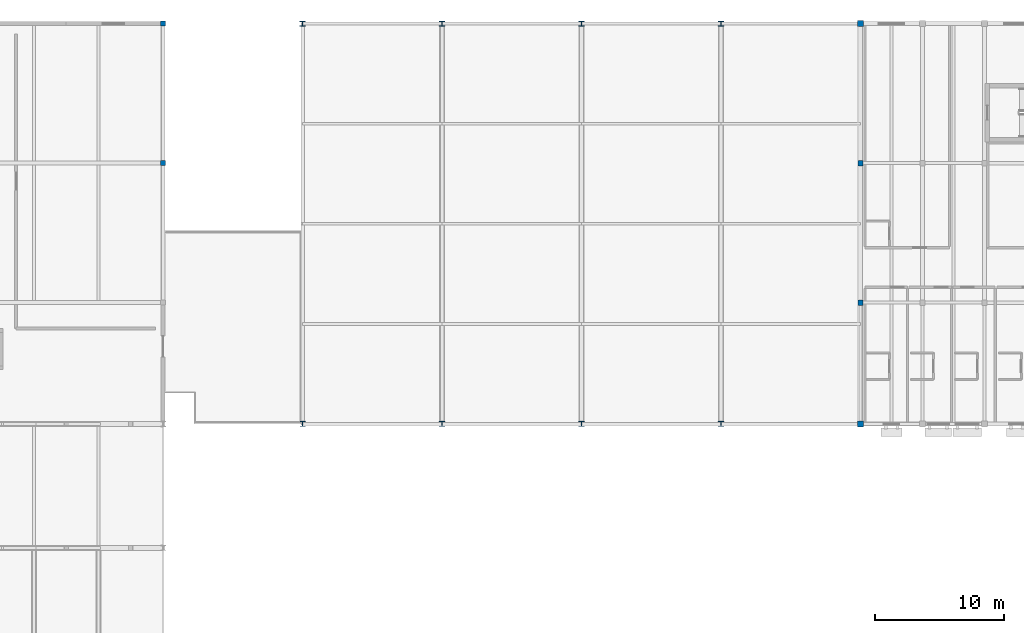
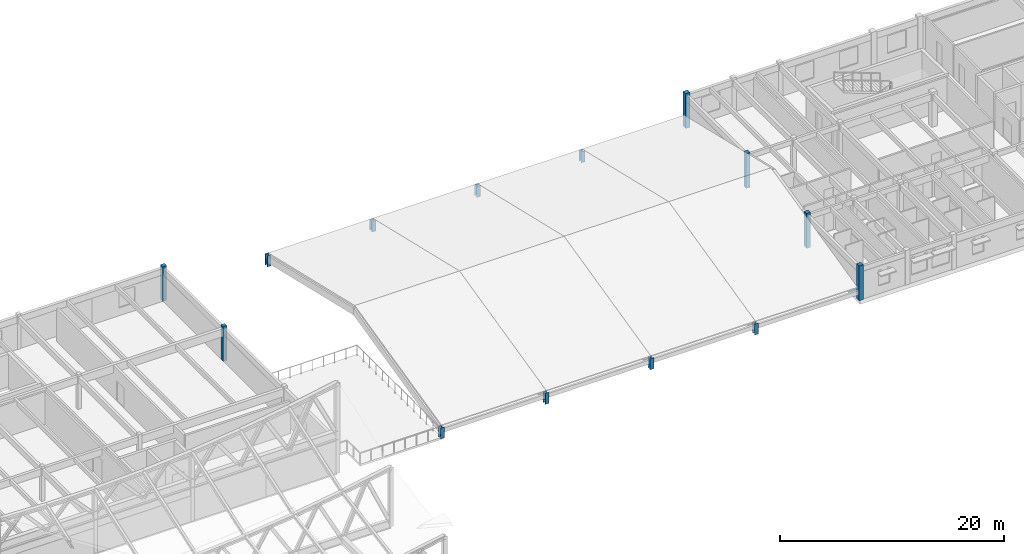
# One storey, part 5 of 40: 14 columns.
"""IFC4 building model written with IfcOpenShell, lengths in metres."""

from ifc_helpers import new_model, si_unit, direction, frame, origin, origin_2d, place, context, subcontext, project, spatial, rectangle, i_section, extrude, material, material_profile, profile_set, type_object, element, save


model = new_model("IFC4")

# Units and contexts
model_context = context("Model", 3, precision=1e-05, world=origin(), true_north=direction((0.0, 1.0)))
body_context = subcontext(model_context, "Body", "Model", "MODEL_VIEW")
ifc_project = project(units=[si_unit("LENGTHUNIT", "METRE"), si_unit("AREAUNIT", "SQUARE_METRE"), si_unit("VOLUMEUNIT", "CUBIC_METRE"), si_unit("PLANEANGLEUNIT", "RADIAN"), si_unit("MASSUNIT", "GRAM", prefix="KILO")], contexts=[model_context])

# Site, building, storey
site_placement = place(None, origin())
site = spatial("IfcSite", under=ifc_project, at=site_placement, CompositionType="ELEMENT")
building_placement = place(site_placement, origin())
building = spatial("IfcBuilding", under=site, at=building_placement, Name="Veldera Park Congress Hotel", CompositionType="ELEMENT")
storey_placement = place(building_placement, frame((0.0, 0.0, 16.199951171875)))
storey = spatial("IfcBuildingStorey", under=building, at=storey_placement, Name="L03", CompositionType="ELEMENT", Elevation=16.199951171875)

# Columns
ifc_material_1 = material(Name="Glulam GL28h (NDS 24F-V4)", Category="wood")
ifc_material_profile_1 = material_profile(ifc_material_1, rectangle(XDim=0.389892578125, YDim=0.389892578125, at=origin_2d()), Name="GL28h 390x390")
ifc_profile_set_1 = profile_set([ifc_material_profile_1], Name="Glulam GL28h (NDS 24F-V4)")
column_type_1 = type_object("IfcColumnType", Name="COL-GL36E", PredefinedType="COLUMN", material=ifc_profile_set_1)
for number, where, z_axis, x_axis, name in (
    (1, (-12.39990234375, 47.199951171875, 0.0), (0.0, 0.0, 1.0), (1.0, 0.0, 0.0), "L03 Column COL-GL36E (-12.4,47.2)"),
    (2, (-12.39990234375, 58.0, 0.0), (0.0, 0.0, 1.0), (1.0, 0.0, 0.0), "L03 Column COL-GL36E (-12.4,58.0)"),
):
    element("IfcColumn", number, at=place(storey_placement, frame(where, z_axis=z_axis, x_axis=x_axis)), inside=storey, type_object=column_type_1, Name=name, PredefinedType="COLUMN", context=body_context, shape_type="SweptSolid", body=[
        extrude(rectangle(XDim=0.389892578125, YDim=0.389892578125, at=origin_2d()), origin(), (0.0, 0.0, 1.0), 3.800048828125),
    ])
ifc_material_profile_2 = material_profile(ifc_material_1, rectangle(XDim=0.419921875, YDim=0.419921875, at=origin_2d()), Name="GL28h 420x420")
ifc_profile_set_2 = profile_set([ifc_material_profile_2], Name="Glulam GL28h (NDS 24F-V4)")
column_type_2 = type_object("IfcColumnType", Name="COL-GL42", PredefinedType="COLUMN", material=ifc_profile_set_2)
for number, where, z_axis, x_axis, name in (
    (3, (41.60009765625, 36.39990234375, 0.0), (0.0, 0.0, 1.0), (1.0, 0.0, 0.0), "L03 Column COL-GL42 (41.6,36.4)"),
    (4, (41.60009765625, 47.199951171875, 0.0), (0.0, 0.0, 1.0), (1.0, 0.0, 0.0), "L03 Column COL-GL42 (41.6,47.2)"),
):
    element("IfcColumn", number, at=place(storey_placement, frame(where, z_axis=z_axis, x_axis=x_axis)), inside=storey, type_object=column_type_2, Name=name, PredefinedType="COLUMN", context=body_context, shape_type="SweptSolid", body=[
        extrude(rectangle(XDim=0.419921875, YDim=0.419921875, at=origin_2d()), origin(), (0.0, 0.0, 1.0), 3.800048828125),
    ])
ifc_material_profile_3 = material_profile(ifc_material_1, rectangle(XDim=0.449951171875, YDim=0.449951171875, at=origin_2d()), Name="GL28h 450x450")
ifc_profile_set_3 = profile_set([ifc_material_profile_3], Name="Glulam GL28h (NDS 24F-V4)")
column_type_3 = type_object("IfcColumnType", Name="COL-GL42E", PredefinedType="COLUMN", material=ifc_profile_set_3)
for number, where, z_axis, x_axis, name in (
    (5, (41.60009765625, 27.0, 0.0), (0.0, 0.0, 1.0), (1.0, 0.0, 0.0), "L03 Column COL-GL42E (41.6,27.0)"),
    (6, (41.60009765625, 58.0, 0.0), (0.0, 0.0, 1.0), (1.0, 0.0, 0.0), "L03 Column COL-GL42E (41.6,58.0)"),
):
    element("IfcColumn", number, at=place(storey_placement, frame(where, z_axis=z_axis, x_axis=x_axis)), inside=storey, type_object=column_type_3, Name=name, PredefinedType="COLUMN", context=body_context, shape_type="SweptSolid", body=[
        extrude(rectangle(XDim=0.449951171875, YDim=0.449951171875, at=origin_2d()), origin(), (0.0, 0.0, 1.0), 3.800048828125),
    ])
ifc_material_2 = material(Name="Steel ASTM A992 Gr.50", Category="steel")
ifc_material_profile_4 = material_profile(ifc_material_2, i_section(OverallWidth=0.39697265625, OverallDepth=0.386962890625, WebThickness=0.02099609375, FlangeThickness=0.033203125, at=origin_2d()), Name="W14X176")
ifc_profile_set_4 = profile_set([ifc_material_profile_4], Name="Steel ASTM A992 Gr.50")
column_type_4 = type_object("IfcColumnType", Name="COL-STL176", PredefinedType="COLUMN", material=ifc_profile_set_4)
for number, where, z_axis, x_axis, name in (
    (7, (-1.60009765625, 27.0, 0.0), (0.0, 0.0, 1.0), (1.0, 0.0, 0.0), "L03 Column COL-STL176 (-1.6,27.0)"),
    (8, (9.199951171875, 27.0, 0.0), (0.0, 0.0, 1.0), (1.0, 0.0, 0.0), "L03 Column COL-STL176 (9.2,27.0)"),
    (9, (20.0, 27.0, 0.0), (0.0, 0.0, 1.0), (1.0, 0.0, 0.0), "L03 Column COL-STL176 (20.0,27.0)"),
    (10, (30.800048828125, 27.0, 0.0), (0.0, 0.0, 1.0), (1.0, 0.0, 0.0), "L03 Column COL-STL176 (30.8,27.0)"),
):
    element("IfcColumn", number, at=place(storey_placement, frame(where, z_axis=z_axis, x_axis=x_axis)), inside=storey, type_object=column_type_4, Name=name, PredefinedType="COLUMN", context=body_context, shape_type="SweptSolid", body=[
        extrude(i_section(OverallWidth=0.39697265625, OverallDepth=0.386962890625, WebThickness=0.02099609375, FlangeThickness=0.033203125, at=origin_2d()), origin(), (0.0, 0.0, 1.0), 1.199951171875),
    ])
ifc_material_profile_5 = material_profile(ifc_material_2, i_section(OverallWidth=0.39892578125, OverallDepth=0.39306640625, WebThickness=0.022705078125, FlangeThickness=0.03662109375, at=origin_2d()), Name="W14X193")
ifc_profile_set_5 = profile_set([ifc_material_profile_5], Name="Steel ASTM A992 Gr.50")
column_type_5 = type_object("IfcColumnType", Name="COL-STL176E", PredefinedType="COLUMN", material=ifc_profile_set_5)
for number, where, z_axis, x_axis, name in (
    (11, (-1.60009765625, 58.0, 0.0), (0.0, 0.0, 1.0), (1.0, 0.0, 0.0), "L03 Column COL-STL176E (-1.6,58.0)"),
    (12, (9.199951171875, 58.0, 0.0), (0.0, 0.0, 1.0), (1.0, 0.0, 0.0), "L03 Column COL-STL176E (9.2,58.0)"),
    (13, (20.0, 58.0, 0.0), (0.0, 0.0, 1.0), (1.0, 0.0, 0.0), "L03 Column COL-STL176E (20.0,58.0)"),
    (14, (30.800048828125, 58.0, 0.0), (0.0, 0.0, 1.0), (1.0, 0.0, 0.0), "L03 Column COL-STL176E (30.8,58.0)"),
):
    element("IfcColumn", number, at=place(storey_placement, frame(where, z_axis=z_axis, x_axis=x_axis)), inside=storey, type_object=column_type_5, Name=name, PredefinedType="COLUMN", context=body_context, shape_type="SweptSolid", body=[
        extrude(i_section(OverallWidth=0.39892578125, OverallDepth=0.39306640625, WebThickness=0.022705078125, FlangeThickness=0.03662109375, at=origin_2d()), origin(), (0.0, 0.0, 1.0), 1.199951171875),
    ])

save(model, "model.ifc")
